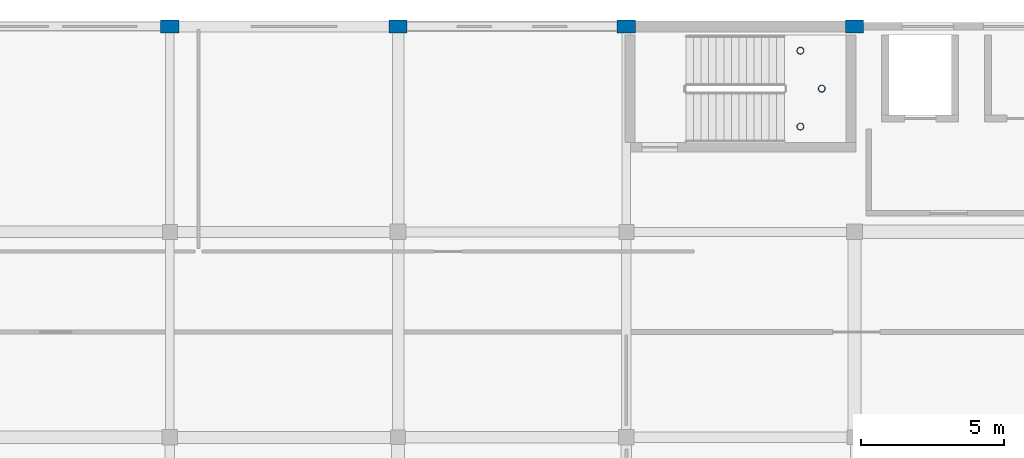
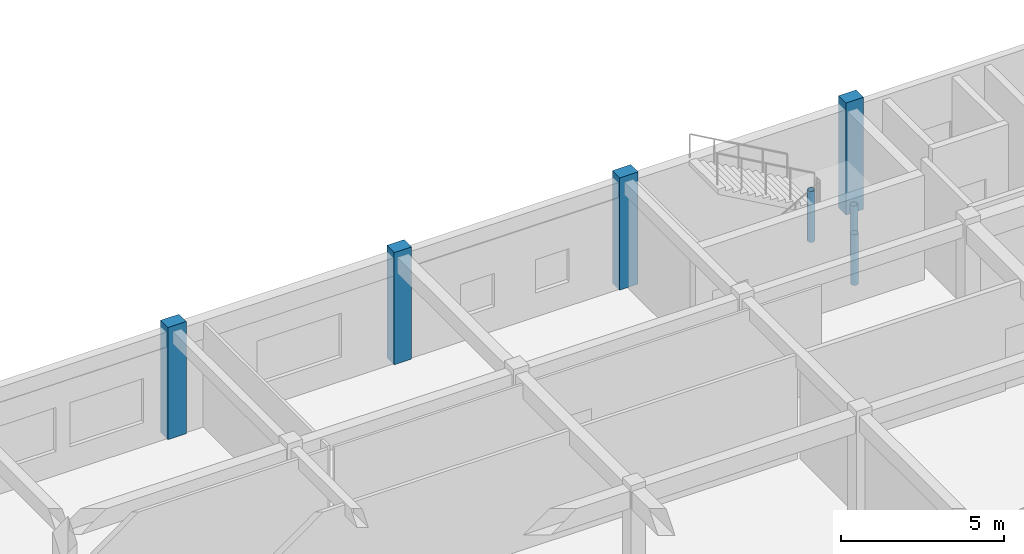
# One storey, part 2 of 19: 7 columns.
"""IFC4 building model written with IfcOpenShell, lengths in metres."""

import ifcopenshell
import ifcopenshell.guid

model = None  # the IFC model being written
_history = None  # IfcOwnerHistory: only IFC2X3 demands one
_inside = {}  # id of a spatial element -> (the spatial element, [elements in it])
_under = {}  # id of a project, library or spatial element -> (it, [spatial elements below it])
_declared = {}  # id of a project -> (the project, [libraries it declares])
_typed = {}  # id of a type object -> (the type object, [elements of that type])
_made_of = {}  # id of a material, layer set ... -> (it, [elements and type objects made of it])


def new_model(schema):
    """Start an empty IFC model of exactly this schema.

    Asked for "IFC4X3", IfcOpenShell would pick the latest addendum, in which some entities
    have other attributes; the version numbers below select the first issue.
    IFC2X3 requires an IfcOwnerHistory on every rooted entity: one is made here for all.
    """
    global model, _history
    if schema == "IFC4X3":
        model = ifcopenshell.file(schema_version=(4, 3, 0, 0))
    else:
        model = ifcopenshell.file(schema=schema)
    _inside.clear()
    _under.clear()
    _declared.clear()
    _typed.clear()
    _made_of.clear()
    _history = None
    if model.schema == "IFC2X3":
        org = make("IfcOrganization", Name="unknown")
        user = make(
            "IfcPersonAndOrganization",
            ThePerson=make("IfcPerson", FamilyName="unknown"),
            TheOrganization=org,
        )
        app = make(
            "IfcApplication",
            ApplicationDeveloper=org,
            Version="unknown",
            ApplicationFullName="unknown",
            ApplicationIdentifier="unknown",
        )
        _history = make(
            "IfcOwnerHistory",
            OwningUser=user,
            OwningApplication=app,
            ChangeAction="ADDED",
            CreationDate=0,
        )
    return model


def make(cls, **values):
    """One entity of the class cls with the attributes given. An attribute that is None is left unset."""
    return model.create_entity(
        cls, **{name: value for name, value in values.items() if value is not None}
    )


def rooted(cls, **values):
    """An entity with a GlobalId (a new one), such as an element, a storey or a relation."""
    return make(cls, GlobalId=ifcopenshell.guid.new(), OwnerHistory=_history, **values)


def si_unit(unit_type, name, prefix=None):
    """IfcSIUnit, for example si_unit("LENGTHUNIT", "METRE", prefix="MILLI")."""
    return make("IfcSIUnit", UnitType=unit_type, Prefix=prefix, Name=name)


def assignment(units):
    """IfcUnitAssignment: the units of a project."""
    return None if units is None else make("IfcUnitAssignment", Units=units)


def point(xyz):
    """IfcCartesianPoint."""
    return None if xyz is None else make("IfcCartesianPoint", Coordinates=xyz)


def direction(xyz):
    """IfcDirection."""
    return None if xyz is None else make("IfcDirection", DirectionRatios=xyz)


def frame(location, z_axis=None, x_axis=None):
    """IfcAxis2Placement3D, a coordinate frame: its origin and axes. An axis left out is left unset."""
    return make(
        "IfcAxis2Placement3D",
        Location=point(location),
        Axis=direction(z_axis),
        RefDirection=direction(x_axis),
    )


def frame_2d(location, x_axis=None):
    """IfcAxis2Placement2D, a coordinate frame in the plane: its origin and x axis."""
    return make(
        "IfcAxis2Placement2D", Location=point(location), RefDirection=direction(x_axis)
    )


def origin():
    """The frame at (0, 0, 0) with its axes left unset."""
    return frame((0.0, 0.0, 0.0))


def origin_2d():
    """The frame at (0, 0) in the plane with its x axis left unset."""
    return frame_2d((0.0, 0.0))


def place(relative_to, where):
    """IfcLocalPlacement: puts the frame where relative to a parent placement (None: the world)."""
    return make(
        "IfcLocalPlacement", PlacementRelTo=relative_to, RelativePlacement=where
    )


def context(
    kind, dimensions, precision=None, world=None, true_north=None, identifier=None
):
    """IfcGeometricRepresentationContext, for example the 3D "Model" context."""
    return make(
        "IfcGeometricRepresentationContext",
        ContextIdentifier=identifier,
        ContextType=kind,
        CoordinateSpaceDimension=dimensions,
        Precision=precision,
        WorldCoordinateSystem=world,
        TrueNorth=true_north,
    )


def subcontext(parent, identifier, kind, view, scale=None):
    """IfcGeometricRepresentationSubContext, for example "Body" below "Model"."""
    return make(
        "IfcGeometricRepresentationSubContext",
        ContextIdentifier=identifier,
        ContextType=kind,
        ParentContext=parent,
        TargetScale=scale,
        TargetView=view,
    )


def project(units=None, contexts=None):
    """IfcProject with its units and contexts."""
    return rooted(
        "IfcProject",
        Name="project",
        RepresentationContexts=contexts,
        UnitsInContext=assignment(units),
    )


def spatial(cls, under=None, at=None, **own):
    """A site, building, storey or space (cls), placed at a placement, below another one or the project."""
    s = rooted(cls, ObjectPlacement=at, **own)
    if under is not None:
        _under.setdefault(under.id(), (under, []))[1].append(s)
    return s


def profile(cls, at=None, kind="AREA", **sizes):
    """A parametric profile (cls). Its sizes go by their IFC names, for example OverallWidth=200.0."""
    return make(cls, ProfileType=kind, Position=at, **sizes)


def rectangle(**sizes):
    """IfcRectangleProfileDef."""
    return profile("IfcRectangleProfileDef", **sizes)


def hollow_circle(**sizes):
    """IfcCircleHollowProfileDef."""
    return profile("IfcCircleHollowProfileDef", **sizes)


def extrude(swept, where, along, depth):
    """IfcExtrudedAreaSolid: the profile swept, set in the frame where, extruded along a direction by depth."""
    return make(
        "IfcExtrudedAreaSolid",
        SweptArea=swept,
        Position=where,
        ExtrudedDirection=direction(along),
        Depth=depth,
    )


def shape(context_of_items, identifier, shape_type, items):
    """IfcShapeRepresentation: the items that make up one representation, for example the "Body"."""
    return make(
        "IfcShapeRepresentation",
        ContextOfItems=context_of_items,
        RepresentationIdentifier=identifier,
        RepresentationType=shape_type,
        Items=items,
    )


def material(Name=None, Category=None):
    """IfcMaterial."""
    return make("IfcMaterial", Name=Name, Category=Category)


def material_profile(
    of_material, cross_section, Name=None, Category=None, Priority=None
):
    """IfcMaterialProfile: a cross section and its material."""
    return make(
        "IfcMaterialProfile",
        Name=Name,
        Material=of_material,
        Profile=cross_section,
        Priority=Priority,
        Category=Category,
    )


def profile_set(profiles, Name=None, composite=None):
    """IfcMaterialProfileSet."""
    return make(
        "IfcMaterialProfileSet",
        Name=Name,
        MaterialProfiles=profiles,
        CompositeProfile=composite,
    )


def made_of(thing, what):
    """Note that an element or type object is made of a material, layer set ...; save() writes the relation."""
    if what is not None:
        _made_of.setdefault(what.id(), (what, []))[1].append(thing)
    return thing


def type_object(cls, material=None, **own):
    """A type object (cls), such as IfcWallType, which elements share."""
    return made_of(rooted(cls, **own), material)


def element(
    cls,
    number,
    at=None,
    inside=None,
    cuts=None,
    type_object=None,
    material=None,
    context=None,
    identifier="Body",
    shape_type=None,
    held_by="IfcProductDefinitionShape",
    body=None,
    shapes=None,
    **own,
):
    """One element of the class cls, such as IfcWall. Its Tag is "e" and its number.

    at: its placement. inside: the storey or other place that contains it. cuts: it is an
    opening in that element (IfcRelVoidsElement). A single representation is given by context,
    identifier, shape_type and body (its items); several are given by shapes. held_by: the class
    of the entity that holds the representations. save() writes the other relations.
    """
    e = rooted(cls, Tag="e%d" % number, ObjectPlacement=at, **own)
    if body is not None:
        shapes = [shape(context, identifier, shape_type, body)]
    if shapes is not None:
        e.Representation = make(held_by, Representations=shapes)
    if inside is not None:
        _inside.setdefault(inside.id(), (inside, []))[1].append(e)
    if cuts is not None:
        rooted(
            "IfcRelVoidsElement", RelatingBuildingElement=cuts, RelatedOpeningElement=e
        )
    if type_object is not None:
        _typed.setdefault(type_object.id(), (type_object, []))[1].append(e)
    return made_of(e, material)


def aggregate(whole, parts):
    """IfcRelAggregates: a whole, such as a stair, and the parts it consists of."""
    return rooted("IfcRelAggregates", RelatingObject=whole, RelatedObjects=parts)


def save(model, path):
    """Write the relations noted so far, then the file.

    IfcRelAggregates (storeys below a building ...), IfcRelContainedInSpatialStructure (elements
    in a storey), IfcRelDefinesByType, IfcRelAssociatesMaterial and IfcRelDeclares: one each for
    every whole, place, type object, material and project.
    """
    for whole, parts in _under.values():
        aggregate(whole, parts)
    for where, things in _inside.values():
        rooted(
            "IfcRelContainedInSpatialStructure",
            RelatedElements=things,
            RelatingStructure=where,
        )
    for kind, things in _typed.values():
        rooted("IfcRelDefinesByType", RelatedObjects=things, RelatingType=kind)
    for what, things in _made_of.values():
        rooted("IfcRelAssociatesMaterial", RelatedObjects=things, RelatingMaterial=what)
    for by, libraries in _declared.values():
        rooted("IfcRelDeclares", RelatingContext=by, RelatedDefinitions=libraries)
    model.write(path)


model = new_model("IFC4")

# Units and contexts
model_context = context("Model", 3, precision=1e-05, world=origin(), true_north=direction((0.0, 1.0)))
body_context = subcontext(model_context, "Body", "Model", "MODEL_VIEW")
ifc_project = project(units=[si_unit("LENGTHUNIT", "METRE"), si_unit("AREAUNIT", "SQUARE_METRE"), si_unit("VOLUMEUNIT", "CUBIC_METRE"), si_unit("PLANEANGLEUNIT", "RADIAN"), si_unit("MASSUNIT", "GRAM", prefix="KILO")], contexts=[model_context])

# Site, building, storey
site_placement = place(None, origin())
site = spatial("IfcSite", under=ifc_project, at=site_placement, CompositionType="ELEMENT")
building_placement = place(site_placement, origin())
building = spatial("IfcBuilding", under=site, at=building_placement, Name="Kharva Crest Polytechnic", CompositionType="ELEMENT")
storey_placement = place(building_placement, frame((0.0, 0.0, 21.60009765625)))
storey = spatial("IfcBuildingStorey", under=building, at=storey_placement, Name="L05", CompositionType="ELEMENT", Elevation=21.60009765625)

# Columns
ifc_material_1 = material(Name="Concrete C40/50", Category="concrete")
ifc_material_profile_1 = material_profile(ifc_material_1, rectangle(XDim=0.6201171875, YDim=0.449951171875, at=origin_2d()), Name="RECT 620 X 450")
ifc_profile_set_1 = profile_set([ifc_material_profile_1], Name="Concrete C40/50")
column_type_1 = type_object("IfcColumnType", Name="COL-EXT-620X450", PredefinedType="COLUMN", material=ifc_profile_set_1)
for number, where, z_axis, x_axis, name in (
    (1, (96.0, 122.0, 0.0), (0.0, 0.0, 1.0), (1.0, 0.0, 0.0), "L05 Column 13/S"),
    (2, (112.0, 122.0, 0.0), (0.0, 0.0, 1.0), (1.0, 0.0, 0.0), "L05 Column 15/S"),
):
    element("IfcColumn", number, at=place(storey_placement, frame(where, z_axis=z_axis, x_axis=x_axis)), inside=storey, type_object=column_type_1, Name=name, PredefinedType="COLUMN", context=body_context, shape_type="SweptSolid", body=[
        extrude(rectangle(XDim=0.6201171875, YDim=0.449951171875, at=origin_2d()), origin(), (0.0, 0.0, 1.0), 4.199951171875),
    ])
ifc_material_profile_2 = material_profile(ifc_material_1, rectangle(XDim=0.64990234375, YDim=0.449951171875, at=origin_2d()), Name="RECT 650 X 450")
ifc_profile_set_2 = profile_set([ifc_material_profile_2], Name="Concrete C40/50")
column_type_2 = type_object("IfcColumnType", Name="COL-EXT-650X450", PredefinedType="COLUMN", material=ifc_profile_set_2)
for number, where, z_axis, x_axis, name in (
    (3, (88.0, 122.0, 0.0), (0.0, 0.0, 1.0), (1.0, 0.0, 0.0), "L05 Column 12/S"),
    (4, (104.0, 122.0, 0.0), (0.0, 0.0, 1.0), (1.0, 0.0, 0.0), "L05 Column 14/S"),
):
    element("IfcColumn", number, at=place(storey_placement, frame(where, z_axis=z_axis, x_axis=x_axis)), inside=storey, type_object=column_type_2, Name=name, PredefinedType="COLUMN", context=body_context, shape_type="SweptSolid", body=[
        extrude(rectangle(XDim=0.64990234375, YDim=0.449951171875, at=origin_2d()), origin(), (0.0, 0.0, 1.0), 4.199951171875),
    ])
ifc_material_2 = material(Name="Steel S355", Category="steel")
ifc_material_profile_3 = material_profile(ifc_material_2, hollow_circle(Radius=0.122314453125, WallThickness=0.010009765625, at=origin_2d()), Name="CHS 244.5X10.0")
ifc_profile_set_3 = profile_set([ifc_material_profile_3], Name="Steel S355")
column_type_3 = type_object("IfcColumnType", Name="COL-STL-CHS244", PredefinedType="COLUMN", material=ifc_profile_set_3)
for number, where, z_axis, x_axis, name in (
    (5, (110.10009765625, 118.489990234375, 0.0), (0.0, 0.0, 1.0), (1.0, 0.0, 0.0), "L05 Stair ST-04 Landing Support Column SW"),
    (6, (110.10009765625, 121.14990234375, 0.0), (0.0, 0.0, 1.0), (1.0, 0.0, 0.0), "L05 Stair ST-04 Landing Support Column NW"),
    (7, (110.85009765625, 119.820068359375, 0.0), (0.0, 0.0, 1.0), (1.0, 0.0, 0.0), "L05 Stair ST-04 Landing Support Column EM"),
):
    element("IfcColumn", number, at=place(storey_placement, frame(where, z_axis=z_axis, x_axis=x_axis)), inside=storey, type_object=column_type_3, Name=name, PredefinedType="COLUMN", context=body_context, shape_type="SweptSolid", body=[
        extrude(hollow_circle(Radius=0.122314453125, WallThickness=0.010009765625, at=origin_2d()), origin(), (0.0, 0.0, 1.0), 1.89990234375),
    ])

save(model, "model.ifc")
